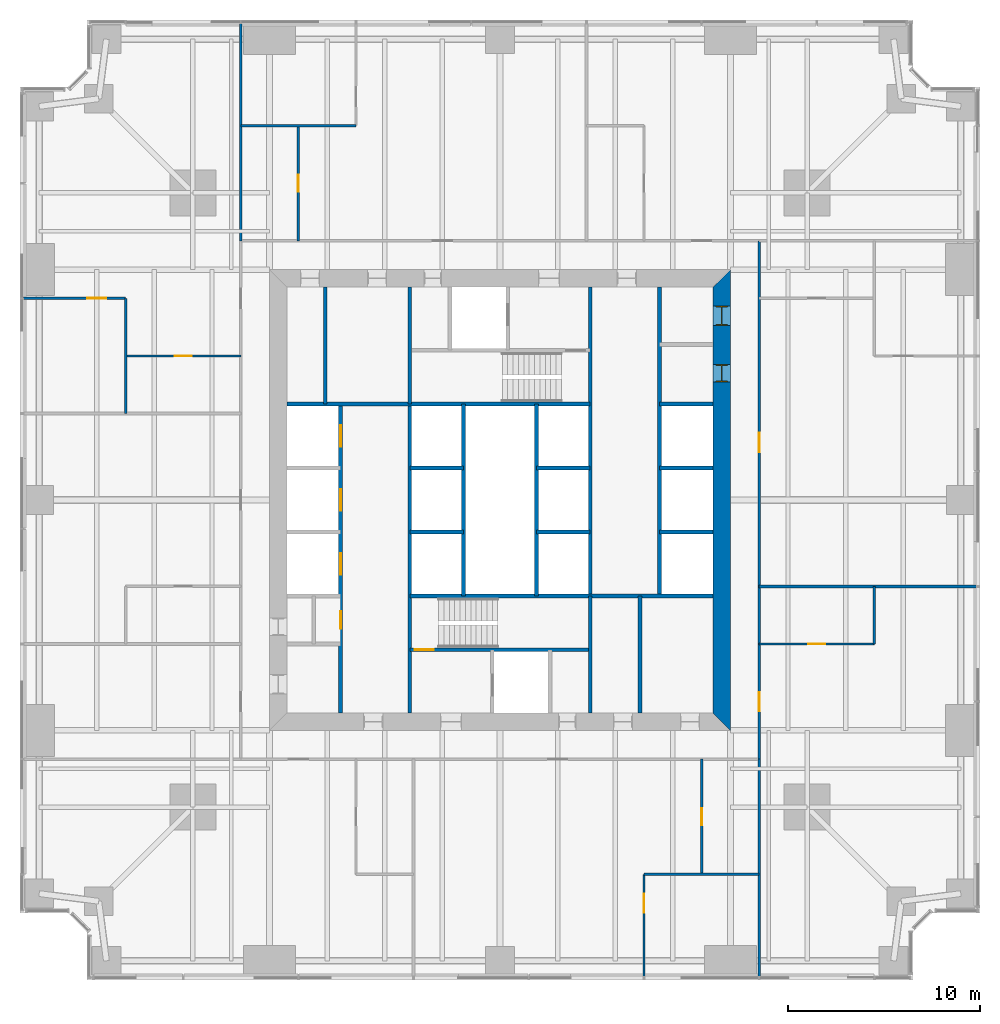
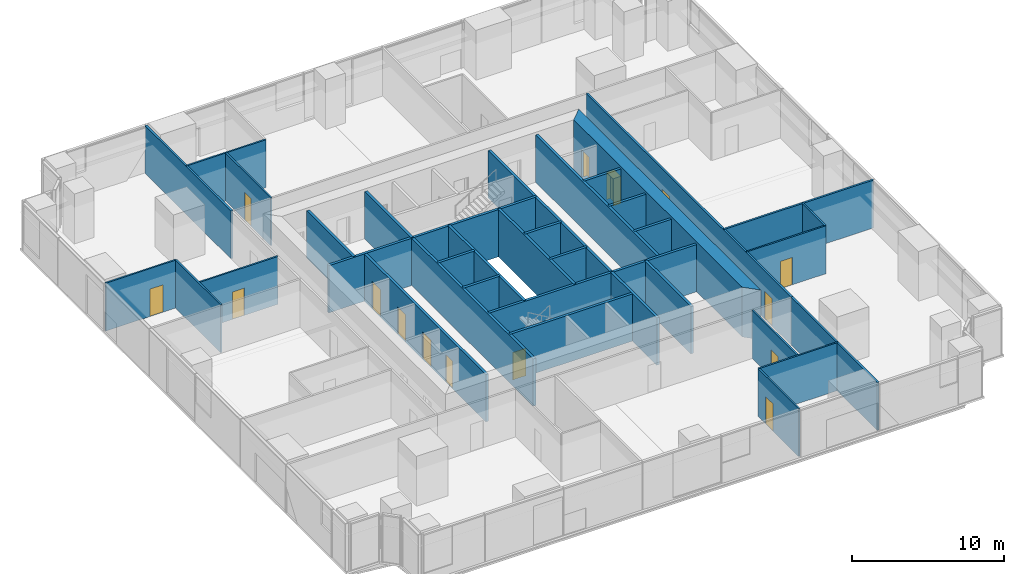
# One storey, part 10 of 13: 35 walls, 15 doors, 15 openings.
"""IFC4 building model written with IfcOpenShell, lengths in metres."""

from ifc_helpers import new_model, si_unit, direction, frame, frame_2d, origin, place, context, subcontext, project, spatial, polyline, rectangle, outline, extrude, material, layer, layer_set, type_object, element, fill, save


model = new_model("IFC4")

# Units and contexts
model_context = context("Model", 3, precision=1e-05, world=origin(), true_north=direction((0.0, 1.0)))
body_context = subcontext(model_context, "Body", "Model", "MODEL_VIEW")
ifc_project = project(units=[si_unit("LENGTHUNIT", "METRE"), si_unit("AREAUNIT", "SQUARE_METRE"), si_unit("VOLUMEUNIT", "CUBIC_METRE"), si_unit("PLANEANGLEUNIT", "RADIAN"), si_unit("MASSUNIT", "GRAM", prefix="KILO")], contexts=[model_context])

# Site, building, storey
site_placement = place(None, origin())
site = spatial("IfcSite", under=ifc_project, at=site_placement, CompositionType="ELEMENT")
building_placement = place(site_placement, origin())
building = spatial("IfcBuilding", under=site, at=building_placement, Name="Fenwick Lantern Interchange", CompositionType="ELEMENT")
storey_placement = place(building_placement, frame((0.0, 0.0, 47.0)))
storey = spatial("IfcBuildingStorey", under=building, at=storey_placement, Name="L10", CompositionType="ELEMENT", Elevation=47.0)

# Wall, openings, doors
ifc_material_1 = material(Name="Concrete masonry ASTM C90 Grade N", Category="masonry")
ifc_layer_1 = layer(ifc_material_1, 0.199951171875)
ifc_layer_set_1 = layer_set([ifc_layer_1], Name="Concrete masonry ASTM C90 Grade N")
wall_type_1 = type_object("IfcWallType", Name="CORE PARTITION 200", PredefinedType="PARTITIONING", material=ifc_layer_set_1)
wall_1_placement = place(storey_placement, frame((16.699951171875, 13.89990234375, 0.0), z_axis=(0.0, 0.0, 1.0), x_axis=(0.0, 1.0, 0.0)))
wall_1 = element("IfcWall", 1, at=wall_1_placement, inside=storey, type_object=wall_type_1, Name="L10/W/CORES/a", PredefinedType="PARTITIONING", context=body_context, shape_type="SweptSolid", body=[
    extrude(rectangle(XDim=16.10009765625, YDim=0.199951171875, at=frame_2d((8.050048828125, 0.0))), origin(), (0.0, 0.0, 1.0), 3.800048828125),
])
opening_1_placement = place(wall_1_placement, frame((4.39990234375, 0.0, 0.0)))
opening_1 = element("IfcOpeningElement", 2, at=opening_1_placement, cuts=wall_1, Name="Opening L10-D008", PredefinedType="OPENING", context=body_context, shape_type="SweptSolid", body=[
    extrude(rectangle(XDim=0.89990234375, YDim=2.199951171875, at=frame_2d((0.449951171875, 1.10009765625))), frame((0.0, 0.10986328125, 0.0), z_axis=(0.0, -1.0, 0.0), x_axis=(1.0, 0.0, 0.0)), (0.0, 0.0, 1.0), 0.219970703125),
])
opening_2_placement = place(wall_1_placement, frame((7.216552734375, 0.0, 0.0)))
opening_2 = element("IfcOpeningElement", 3, at=opening_2_placement, cuts=wall_1, Name="Opening LD-W1-1", PredefinedType="OPENING", context=body_context, shape_type="SweptSolid", body=[
    extrude(rectangle(XDim=1.10009765625, YDim=2.199951171875, at=frame_2d((0.550048828125, 1.10009765625))), frame((0.0, 0.10986328125, 0.0), z_axis=(0.0, -1.0, 0.0), x_axis=(1.0, 0.0, 0.0)), (0.0, 0.0, 1.0), 0.219970703125),
])
opening_3_placement = place(wall_1_placement, frame((10.550048828125, 0.0, 0.0)))
opening_3 = element("IfcOpeningElement", 4, at=opening_3_placement, cuts=wall_1, Name="Opening LD-W1-2", PredefinedType="OPENING", context=body_context, shape_type="SweptSolid", body=[
    extrude(rectangle(XDim=1.10009765625, YDim=2.199951171875, at=frame_2d((0.550048828125, 1.10009765625))), frame((0.0, 0.10986328125, 0.0), z_axis=(0.0, -1.0, 0.0), x_axis=(1.0, 0.0, 0.0)), (0.0, 0.0, 1.0), 0.219970703125),
])
opening_4_placement = place(wall_1_placement, frame((13.88330078125, 0.0, 0.0)))
opening_4 = element("IfcOpeningElement", 5, at=opening_4_placement, cuts=wall_1, Name="Opening LD-W1-3", PredefinedType="OPENING", context=body_context, shape_type="SweptSolid", body=[
    extrude(rectangle(XDim=1.10009765625, YDim=2.199951171875, at=frame_2d((0.550048828125, 1.10009765625))), frame((0.0, 0.10986328125, 0.0), z_axis=(0.0, -1.0, 0.0), x_axis=(1.0, 0.0, 0.0)), (0.0, 0.0, 1.0), 0.219970703125),
])
ifc_material_2 = material(Name="Steel door and frame", Category="steel")
door_type_1 = type_object("IfcDoorType", Name="LIFT LANDING DOOR 1100 X 2200", OperationType="DOUBLE_DOOR_SLIDING", PredefinedType="DOOR", material=ifc_material_2)
door_1_placement = place(opening_2_placement, origin())
door_1 = element("IfcDoor", 6, at=door_1_placement, inside=storey, type_object=door_type_1, Name="Lift landing door W1-1", OperationType="DOUBLE_DOOR_SLIDING", OverallHeight=2.199951171875, OverallWidth=1.10009765625, PredefinedType="DOOR", context=body_context, shape_type="SweptSolid", body=[
    extrude(rectangle(XDim=1.10009765625, YDim=2.199951171875, at=frame_2d((0.550048828125, 1.10009765625))), frame((0.0, 0.02490234375, 0.0), z_axis=(0.0, -1.0, 0.0), x_axis=(1.0, 0.0, 0.0)), (0.0, 0.0, 1.0), 0.050048828125),
])
fill(opening_2, door_1)
door_2_placement = place(opening_3_placement, origin())
door_2 = element("IfcDoor", 7, at=door_2_placement, inside=storey, type_object=door_type_1, Name="Lift landing door W1-2", OperationType="DOUBLE_DOOR_SLIDING", OverallHeight=2.199951171875, OverallWidth=1.10009765625, PredefinedType="DOOR", context=body_context, shape_type="SweptSolid", body=[
    extrude(rectangle(XDim=1.10009765625, YDim=2.199951171875, at=frame_2d((0.550048828125, 1.10009765625))), frame((0.0, 0.02490234375, 0.0), z_axis=(0.0, -1.0, 0.0), x_axis=(1.0, 0.0, 0.0)), (0.0, 0.0, 1.0), 0.050048828125),
])
fill(opening_3, door_2)
door_3_placement = place(opening_4_placement, origin())
door_3 = element("IfcDoor", 8, at=door_3_placement, inside=storey, type_object=door_type_1, Name="Lift landing door W1-3", OperationType="DOUBLE_DOOR_SLIDING", OverallHeight=2.199951171875, OverallWidth=1.10009765625, PredefinedType="DOOR", context=body_context, shape_type="SweptSolid", body=[
    extrude(rectangle(XDim=1.10009765625, YDim=2.199951171875, at=frame_2d((0.550048828125, 1.10009765625))), frame((0.0, 0.02490234375, 0.0), z_axis=(0.0, -1.0, 0.0), x_axis=(1.0, 0.0, 0.0)), (0.0, 0.0, 1.0), 0.050048828125),
])
fill(opening_4, door_3)
door_type_2 = type_object("IfcDoorType", Name="SERVICE DOOR 900 X 2200", OperationType="SINGLE_SWING_LEFT", PredefinedType="DOOR", material=ifc_material_2)
door_4_placement = place(opening_1_placement, origin())
door_4 = element("IfcDoor", 9, at=door_4_placement, inside=storey, type_object=door_type_2, Name="Service door", OperationType="SINGLE_SWING_LEFT", OverallHeight=2.199951171875, OverallWidth=0.89990234375, PredefinedType="DOOR", context=body_context, shape_type="SweptSolid", body=[
    extrude(rectangle(XDim=0.89990234375, YDim=2.199951171875, at=frame_2d((0.449951171875, 1.10009765625))), frame((0.0, 0.02490234375, 0.0), z_axis=(0.0, -1.0, 0.0), x_axis=(1.0, 0.0, 0.0)), (0.0, 0.0, 1.0), 0.050048828125),
])
fill(opening_1, door_4)

# Walls
for number, where, z_axis, x_axis, name in (
    (10, (20.300048828125, 23.333251953125, 0.0), (0.0, 0.0, 1.0), (1.0, 0.0, 0.0), "L10/W/CORES/e1"),
    (11, (20.300048828125, 26.666748046875, 0.0), (0.0, 0.0, 1.0), (1.0, 0.0, 0.0), "L10/W/CORES/e2"),
):
    element("IfcWall", number, at=place(storey_placement, frame(where, z_axis=z_axis, x_axis=x_axis)), inside=storey, type_object=wall_type_1, Name=name, PredefinedType="PARTITIONING", context=body_context, shape_type="SweptSolid", body=[
        extrude(rectangle(XDim=2.800048828125, YDim=0.199951171875, at=frame_2d((1.39990234375, 0.0))), origin(), (0.0, 0.0, 1.0), 3.800048828125),
    ])
wall_2_placement = place(storey_placement, frame((23.10009765625, 20.0, 0.0), z_axis=(0.0, 0.0, 1.0), x_axis=(0.0, 1.0, 0.0)))
element("IfcWall", 12, at=wall_2_placement, inside=storey, type_object=wall_type_1, Name="L10/W/CORES/e3", PredefinedType="PARTITIONING", context=body_context, shape_type="SweptSolid", body=[
    extrude(rectangle(XDim=10.0, YDim=0.199951171875, at=frame_2d((5.0, 0.0))), origin(), (0.0, 0.0, 1.0), 3.800048828125),
])
wall_3_placement = place(storey_placement, frame((32.300048828125, 13.89990234375, 0.0), z_axis=(0.0, 0.0, 1.0), x_axis=(0.0, 1.0, 0.0)))
element("IfcWall", 13, at=wall_3_placement, inside=storey, type_object=wall_type_1, Name="L10/W/CORES/i2", PredefinedType="PARTITIONING", context=body_context, shape_type="SweptSolid", body=[
    extrude(rectangle(XDim=6.10009765625, YDim=0.199951171875, at=frame_2d((3.050048828125, 0.0))), origin(), (0.0, 0.0, 1.0), 3.800048828125),
])
wall_4_placement = place(storey_placement, frame((33.300048828125, 36.10009765625, 0.0), z_axis=(0.0, 0.0, 1.0), x_axis=(0.0, -1.0, 0.0)))
element("IfcWall", 14, at=wall_4_placement, inside=storey, type_object=wall_type_1, Name="L10/W/COREN/a", PredefinedType="PARTITIONING", context=body_context, shape_type="SweptSolid", body=[
    extrude(rectangle(XDim=16.10009765625, YDim=0.199951171875, at=frame_2d((8.050048828125, 0.0))), origin(), (0.0, 0.0, 1.0), 3.800048828125),
])
for number, where, z_axis, x_axis, name in (
    (15, (36.10009765625, 30.0, 0.0), (0.0, 0.0, 1.0), (-1.0, 0.0, 0.0), "L10/W/COREN/c2"),
    (16, (36.10009765625, 26.666748046875, 0.0), (0.0, 0.0, 1.0), (-1.0, 0.0, 0.0), "L10/W/COREN/d1"),
    (17, (36.10009765625, 23.333251953125, 0.0), (0.0, 0.0, 1.0), (-1.0, 0.0, 0.0), "L10/W/COREN/d2"),
    (18, (29.699951171875, 26.666748046875, 0.0), (0.0, 0.0, 1.0), (-1.0, 0.0, 0.0), "L10/W/COREN/e1"),
    (19, (29.699951171875, 23.333251953125, 0.0), (0.0, 0.0, 1.0), (-1.0, 0.0, 0.0), "L10/W/COREN/e2"),
):
    element("IfcWall", number, at=place(storey_placement, frame(where, z_axis=z_axis, x_axis=x_axis)), inside=storey, type_object=wall_type_1, Name=name, PredefinedType="PARTITIONING", context=body_context, shape_type="SweptSolid", body=[
        extrude(rectangle(XDim=2.800048828125, YDim=0.199951171875, at=frame_2d((1.39990234375, 0.0))), origin(), (0.0, 0.0, 1.0), 3.800048828125),
    ])
wall_5_placement = place(storey_placement, frame((26.89990234375, 30.0, 0.0), z_axis=(0.0, 0.0, 1.0), x_axis=(0.0, -1.0, 0.0)))
element("IfcWall", 20, at=wall_5_placement, inside=storey, type_object=wall_type_1, Name="L10/W/COREN/e3", PredefinedType="PARTITIONING", context=body_context, shape_type="SweptSolid", body=[
    extrude(rectangle(XDim=10.0, YDim=0.199951171875, at=frame_2d((5.0, 0.0))), origin(), (0.0, 0.0, 1.0), 3.800048828125),
])
wall_6_placement = place(storey_placement, frame((15.89990234375, 36.10009765625, 0.0), z_axis=(0.0, 0.0, 1.0), x_axis=(0.0, -1.0, 0.0)))
element("IfcWall", 21, at=wall_6_placement, inside=storey, type_object=wall_type_1, Name="L10/W/COREN/i2", PredefinedType="PARTITIONING", context=body_context, shape_type="SweptSolid", body=[
    extrude(rectangle(XDim=6.10009765625, YDim=0.199951171875, at=frame_2d((3.050048828125, 0.0))), origin(), (0.0, 0.0, 1.0), 3.800048828125),
])

# Wall, openings, doors
ifc_material_3 = material(Name="Concrete f'c 70 MPa", Category="concrete")
ifc_layer_2 = layer(ifc_material_3, 0.89990234375)
ifc_layer_set_2 = layer_set([ifc_layer_2], Name="CORE WALL 900")
wall_type_2 = type_object("IfcWallType", Name="CORE WALL 900", PredefinedType="SHEAR", material=ifc_layer_set_2)
wall_7_placement = place(storey_placement, frame((36.550048828125, 13.89990234375, 0.0), z_axis=(0.0, 0.0, 1.0), x_axis=(0.0, 1.0, 0.0)))
wall_7 = element("IfcWall", 22, at=wall_7_placement, inside=storey, type_object=wall_type_2, Name="L10/CORE/E", PredefinedType="SHEAR", context=body_context, shape_type="SweptSolid", body=[
    extrude(outline(polyline([(-0.89990234375, -0.449951171875), (23.10009765625, -0.449951171875), (22.199951171875, 0.449951171875), (0.0, 0.449951171875), (-0.89990234375, -0.449951171875)])), origin(), (0.0, 0.0, 1.0), 4.0),
])
opening_5_placement = place(wall_7_placement, frame((20.199951171875, 0.0, 0.0)))
opening_5 = element("IfcOpeningElement", 23, at=opening_5_placement, cuts=wall_7, Name="Opening L10-D016", PredefinedType="OPENING", context=body_context, shape_type="SweptSolid", body=[
    extrude(rectangle(XDim=1.0, YDim=2.199951171875, at=frame_2d((0.5, 1.10009765625))), frame((0.0, 0.4599609375, 0.0), z_axis=(0.0, -1.0, 0.0), x_axis=(1.0, 0.0, 0.0)), (0.0, 0.0, 1.0), 0.919921875),
])
opening_6_placement = place(wall_7_placement, frame((17.25, 0.0, 0.0)))
opening_6 = element("IfcOpeningElement", 24, at=opening_6_placement, cuts=wall_7, Name="Opening L10-D017", PredefinedType="OPENING", context=body_context, shape_type="SweptSolid", body=[
    extrude(rectangle(XDim=0.89990234375, YDim=2.199951171875, at=frame_2d((0.449951171875, 1.10009765625))), frame((0.0, 0.4599609375, 0.0), z_axis=(0.0, -1.0, 0.0), x_axis=(1.0, 0.0, 0.0)), (0.0, 0.0, 1.0), 0.919921875),
])
door_5_placement = place(opening_6_placement, origin())
door_5 = element("IfcDoor", 25, at=door_5_placement, inside=storey, type_object=door_type_2, Name="Service door", OperationType="SINGLE_SWING_RIGHT", OverallHeight=2.199951171875, OverallWidth=0.89990234375, PredefinedType="DOOR", context=body_context, shape_type="SweptSolid", body=[
    extrude(rectangle(XDim=0.89990234375, YDim=2.199951171875, at=frame_2d((0.449951171875, 1.10009765625))), frame((0.0, 0.02490234375, 0.0), z_axis=(0.0, -1.0, 0.0), x_axis=(1.0, 0.0, 0.0)), (0.0, 0.0, 1.0), 0.050048828125),
    extrude(outline(polyline([(0.0, 0.0), (0.0400390625, 0.0), (0.0400390625, 2.159912109375), (0.85986328125, 2.159912109375), (0.85986328125, 0.0), (0.89990234375, 0.0), (0.89990234375, 2.199951171875), (0.0, 2.199951171875), (0.0, 0.0)])), frame((0.0, 0.300048828125, 0.0), z_axis=(0.0, -1.0, 0.0), x_axis=(1.0, 0.0, 0.0)), (0.0, 0.0, 1.0), 0.60009765625),
])
fill(opening_6, door_5)
ifc_material_4 = material(Name="Hardwood door and steel frame", Category="steel")
door_type_3 = type_object("IfcDoorType", Name="WC DOOR 1000 X 2200", OperationType="SINGLE_SWING_LEFT", PredefinedType="DOOR", material=ifc_material_4)
door_6_placement = place(opening_5_placement, origin())
door_6 = element("IfcDoor", 26, at=door_6_placement, inside=storey, type_object=door_type_3, Name="Wc door", OperationType="SINGLE_SWING_LEFT", OverallHeight=2.199951171875, OverallWidth=1.0, PredefinedType="DOOR", context=body_context, shape_type="SweptSolid", body=[
    extrude(rectangle(XDim=1.0, YDim=2.199951171875, at=frame_2d((0.5, 1.10009765625))), frame((0.0, 0.02490234375, 0.0), z_axis=(0.0, -1.0, 0.0), x_axis=(1.0, 0.0, 0.0)), (0.0, 0.0, 1.0), 0.050048828125),
    extrude(outline(polyline([(0.0, 0.0), (0.0400390625, 0.0), (0.0400390625, 2.159912109375), (0.9599609375, 2.159912109375), (0.9599609375, 0.0), (1.0, 0.0), (1.0, 2.199951171875), (0.0, 2.199951171875), (0.0, 0.0)])), frame((0.0, 0.300048828125, 0.0), z_axis=(0.0, -1.0, 0.0), x_axis=(1.0, 0.0, 0.0)), (0.0, 0.0, 1.0), 0.60009765625),
])
fill(opening_5, door_6)

ifc_material_5 = material(Name="Gypsum board on steel studs, 1 hour", Category="steel")
ifc_layer_3 = layer(ifc_material_5, 0.14990234375)
ifc_layer_set_3 = layer_set([ifc_layer_3], Name="CORRIDOR WALL 150")
wall_type_3 = type_object("IfcWallType", Name="CORRIDOR WALL 150", PredefinedType="PARTITIONING", material=ifc_layer_set_3)
wall_8_placement = place(storey_placement, frame((38.5, 11.5, 0.0), z_axis=(0.0, 0.0, 1.0), x_axis=(0.0, 1.0, 0.0)))
wall_8 = element("IfcWall", 27, at=wall_8_placement, inside=storey, type_object=wall_type_3, Name="L10/W/OFF/E/CW", PredefinedType="PARTITIONING", context=body_context, shape_type="SweptSolid", body=[
    extrude(rectangle(XDim=27.0, YDim=0.14990234375, at=frame_2d((13.5, 0.0))), origin(), (0.0, 0.0, 1.0), 3.85009765625),
])
opening_7_placement = place(wall_8_placement, frame((2.5, 0.0, 0.0)))
opening_7 = element("IfcOpeningElement", 28, at=opening_7_placement, cuts=wall_8, Name="Opening L10-D023", PredefinedType="OPENING", context=body_context, shape_type="SweptSolid", body=[
    extrude(rectangle(XDim=1.0, YDim=2.199951171875, at=frame_2d((0.5, 1.10009765625))), frame((0.0, 0.0849609375, 0.0), z_axis=(0.0, -1.0, 0.0), x_axis=(1.0, 0.0, 0.0)), (0.0, 0.0, 1.0), 0.169921875),
])
opening_8_placement = place(wall_8_placement, frame((16.0, 0.0, 0.0)))
opening_8 = element("IfcOpeningElement", 29, at=opening_8_placement, cuts=wall_8, Name="Opening L10-D025", PredefinedType="OPENING", context=body_context, shape_type="SweptSolid", body=[
    extrude(rectangle(XDim=1.0, YDim=2.199951171875, at=frame_2d((0.5, 1.10009765625))), frame((0.0, 0.0849609375, 0.0), z_axis=(0.0, -1.0, 0.0), x_axis=(1.0, 0.0, 0.0)), (0.0, 0.0, 1.0), 0.169921875),
])
door_type_4 = type_object("IfcDoorType", Name="SUITE ENTRANCE DOOR 1000 X 2200", OperationType="SINGLE_SWING_LEFT", PredefinedType="DOOR", material=ifc_material_2)
door_7_placement = place(opening_7_placement, frame((1.0, 0.0, 0.0), z_axis=(0.0, 0.0, 1.0), x_axis=(-1.0, 0.0, 0.0)))
door_7 = element("IfcDoor", 30, at=door_7_placement, inside=storey, type_object=door_type_4, Name="Suite entrance door", OperationType="SINGLE_SWING_LEFT", OverallHeight=2.199951171875, OverallWidth=1.0, PredefinedType="DOOR", context=body_context, shape_type="SweptSolid", body=[
    extrude(rectangle(XDim=1.0, YDim=2.199951171875, at=frame_2d((0.5, 1.10009765625))), frame((0.0, 0.02490234375, 0.0), z_axis=(0.0, -1.0, 0.0), x_axis=(1.0, 0.0, 0.0)), (0.0, 0.0, 1.0), 0.050048828125),
])
fill(opening_7, door_7)
door_8_placement = place(opening_8_placement, frame((1.0, 0.0, 0.0), z_axis=(0.0, 0.0, 1.0), x_axis=(-1.0, 0.0, 0.0)))
door_8 = element("IfcDoor", 31, at=door_8_placement, inside=storey, type_object=door_type_4, Name="Suite entrance door", OperationType="SINGLE_SWING_RIGHT", OverallHeight=2.199951171875, OverallWidth=1.0, PredefinedType="DOOR", context=body_context, shape_type="SweptSolid", body=[
    extrude(rectangle(XDim=1.0, YDim=2.199951171875, at=frame_2d((0.5, 1.10009765625))), frame((0.0, 0.02490234375, 0.0), z_axis=(0.0, -1.0, 0.0), x_axis=(1.0, 0.0, 0.0)), (0.0, 0.0, 1.0), 0.050048828125),
])
fill(opening_8, door_8)

# Wall, opening, door
ifc_material_6 = material(Name="Gypsum board on steel studs, acoustic", Category="steel")
ifc_layer_4 = layer(ifc_material_6, 0.125)
ifc_layer_set_4 = layer_set([ifc_layer_4], Name="OFFICE PARTITION 125")
wall_type_4 = type_object("IfcWallType", Name="OFFICE PARTITION 125", PredefinedType="PARTITIONING", material=ifc_layer_set_4)
wall_9_placement = place(storey_placement, frame((32.5, 0.14990234375, 0.0), z_axis=(0.0, 0.0, 1.0), x_axis=(0.0, 1.0, 0.0)))
wall_9 = element("IfcWall", 32, at=wall_9_placement, inside=storey, type_object=wall_type_4, Name="L10/W/OFF/S/X325-1", PredefinedType="PARTITIONING", context=body_context, shape_type="SweptSolid", body=[
    extrude(rectangle(XDim=5.35009765625, YDim=0.125, at=frame_2d((2.675048828125, 0.0))), origin(), (0.0, 0.0, 1.0), 3.85009765625),
])
opening_9_placement = place(wall_9_placement, frame((3.35009765625, 0.0, 0.0)))
opening_9 = element("IfcOpeningElement", 33, at=opening_9_placement, cuts=wall_9, Name="Opening L10-D021", PredefinedType="OPENING", context=body_context, shape_type="SweptSolid", body=[
    extrude(rectangle(XDim=1.0, YDim=2.199951171875, at=frame_2d((0.5, 1.10009765625))), frame((0.0, 0.072509765625, 0.0), z_axis=(0.0, -1.0, 0.0), x_axis=(1.0, 0.0, 0.0)), (0.0, 0.0, 1.0), 0.14501953125),
])
door_type_5 = type_object("IfcDoorType", Name="MEETING ROOM DOOR 1000 X 2200", OperationType="SINGLE_SWING_LEFT", PredefinedType="DOOR", material=ifc_material_4)
door_9_placement = place(opening_9_placement, frame((1.0, 0.0, 0.0), z_axis=(0.0, 0.0, 1.0), x_axis=(-1.0, 0.0, 0.0)))
door_9 = element("IfcDoor", 34, at=door_9_placement, inside=storey, type_object=door_type_5, Name="Meeting room door", OperationType="SINGLE_SWING_LEFT", OverallHeight=2.199951171875, OverallWidth=1.0, PredefinedType="DOOR", context=body_context, shape_type="SweptSolid", body=[
    extrude(rectangle(XDim=1.0, YDim=2.199951171875, at=frame_2d((0.5, 1.10009765625))), frame((0.0, 0.02490234375, 0.0), z_axis=(0.0, -1.0, 0.0), x_axis=(1.0, 0.0, 0.0)), (0.0, 0.0, 1.0), 0.050048828125),
])
fill(opening_9, door_9)

wall_10_placement = place(storey_placement, frame((35.5, 5.5, 0.0), z_axis=(0.0, 0.0, 1.0), x_axis=(0.0, 1.0, 0.0)))
wall_10 = element("IfcWall", 35, at=wall_10_placement, inside=storey, type_object=wall_type_4, Name="L10/W/OFF/S/X355-1", PredefinedType="PARTITIONING", context=body_context, shape_type="SweptSolid", body=[
    extrude(rectangle(XDim=6.0, YDim=0.125, at=frame_2d((3.0, 0.0))), origin(), (0.0, 0.0, 1.0), 3.85009765625),
])
opening_10_placement = place(wall_10_placement, frame((2.550048828125, 0.0, 0.0)))
opening_10 = element("IfcOpeningElement", 36, at=opening_10_placement, cuts=wall_10, Name="Opening L10-D022", PredefinedType="OPENING", context=body_context, shape_type="SweptSolid", body=[
    extrude(rectangle(XDim=0.89990234375, YDim=2.199951171875, at=frame_2d((0.449951171875, 1.10009765625))), frame((0.0, 0.072509765625, 0.0), z_axis=(0.0, -1.0, 0.0), x_axis=(1.0, 0.0, 0.0)), (0.0, 0.0, 1.0), 0.14501953125),
])
door_type_6 = type_object("IfcDoorType", Name="OFFICE DOOR 900 X 2200", OperationType="SINGLE_SWING_LEFT", PredefinedType="DOOR", material=ifc_material_4)
door_10_placement = place(opening_10_placement, frame((0.89990234375, 0.0, 0.0), z_axis=(0.0, 0.0, 1.0), x_axis=(-1.0, 0.0, 0.0)))
door_10 = element("IfcDoor", 37, at=door_10_placement, inside=storey, type_object=door_type_6, Name="Office door", OperationType="SINGLE_SWING_RIGHT", OverallHeight=2.199951171875, OverallWidth=0.89990234375, PredefinedType="DOOR", context=body_context, shape_type="SweptSolid", body=[
    extrude(rectangle(XDim=0.89990234375, YDim=2.199951171875, at=frame_2d((0.449951171875, 1.10009765625))), frame((0.0, 0.02490234375, 0.0), z_axis=(0.0, -1.0, 0.0), x_axis=(1.0, 0.0, 0.0)), (0.0, 0.0, 1.0), 0.050048828125),
])
fill(opening_10, door_10)

# Wall
wall_11_placement = place(storey_placement, frame((32.5, 5.5, 0.0), z_axis=(0.0, 0.0, 1.0), x_axis=(1.0, 0.0, 0.0)))
element("IfcWall", 38, at=wall_11_placement, inside=storey, type_object=wall_type_4, Name="L10/W/OFF/S/Y55-2", PredefinedType="PARTITIONING", context=body_context, shape_type="SweptSolid", body=[
    extrude(rectangle(XDim=6.0, YDim=0.125, at=frame_2d((3.0, 0.0))), origin(), (0.0, 0.0, 1.0), 3.85009765625),
])

# Wall, opening, door
wall_12_placement = place(storey_placement, frame((44.5, 17.5, 0.0), z_axis=(0.0, 0.0, 1.0), x_axis=(-1.0, 0.0, 0.0)))
wall_12 = element("IfcWall", 39, at=wall_12_placement, inside=storey, type_object=wall_type_4, Name="L10/W/OFF/E/X175-1", PredefinedType="PARTITIONING", context=body_context, shape_type="SweptSolid", body=[
    extrude(rectangle(XDim=6.0, YDim=0.125, at=frame_2d((3.0, 0.0))), origin(), (0.0, 0.0, 1.0), 3.85009765625),
])
opening_11_placement = place(wall_12_placement, frame((2.550048828125, 0.0, 0.0)))
opening_11 = element("IfcOpeningElement", 40, at=opening_11_placement, cuts=wall_12, Name="Opening L10-D024", PredefinedType="OPENING", context=body_context, shape_type="SweptSolid", body=[
    extrude(rectangle(XDim=0.89990234375, YDim=2.199951171875, at=frame_2d((0.449951171875, 1.10009765625))), frame((0.0, 0.072509765625, 0.0), z_axis=(0.0, -1.0, 0.0), x_axis=(1.0, 0.0, 0.0)), (0.0, 0.0, 1.0), 0.14501953125),
])
door_11_placement = place(opening_11_placement, frame((0.89990234375, 0.0, 0.0), z_axis=(0.0, 0.0, 1.0), x_axis=(-1.0, 0.0, 0.0)))
door_11 = element("IfcDoor", 41, at=door_11_placement, inside=storey, type_object=door_type_6, Name="Office door", OperationType="SINGLE_SWING_RIGHT", OverallHeight=2.199951171875, OverallWidth=0.89990234375, PredefinedType="DOOR", context=body_context, shape_type="SweptSolid", body=[
    extrude(rectangle(XDim=0.89990234375, YDim=2.199951171875, at=frame_2d((0.449951171875, 1.10009765625))), frame((0.0, 0.02490234375, 0.0), z_axis=(0.0, -1.0, 0.0), x_axis=(1.0, 0.0, 0.0)), (0.0, 0.0, 1.0), 0.050048828125),
])
fill(opening_11, door_11)

# Wall
wall_13_placement = place(storey_placement, frame((44.5, 17.5, 0.0), z_axis=(0.0, 0.0, 1.0), x_axis=(0.0, 1.0, 0.0)))
element("IfcWall", 42, at=wall_13_placement, inside=storey, type_object=wall_type_4, Name="L10/W/OFF/E/Y55-1", PredefinedType="PARTITIONING", context=body_context, shape_type="SweptSolid", body=[
    extrude(rectangle(XDim=3.0, YDim=0.125, at=frame_2d((1.5, 0.0))), origin(), (0.0, 0.0, 1.0), 3.85009765625),
])

# Wall, opening, door
wall_14_placement = place(storey_placement, frame((14.5, 44.5, 0.0), z_axis=(0.0, 0.0, 1.0), x_axis=(0.0, -1.0, 0.0)))
wall_14 = element("IfcWall", 43, at=wall_14_placement, inside=storey, type_object=wall_type_4, Name="L10/W/OFF/N/X355-1", PredefinedType="PARTITIONING", context=body_context, shape_type="SweptSolid", body=[
    extrude(rectangle(XDim=6.0, YDim=0.125, at=frame_2d((3.0, 0.0))), origin(), (0.0, 0.0, 1.0), 3.85009765625),
])
opening_12_placement = place(wall_14_placement, frame((2.550048828125, 0.0, 0.0)))
opening_12 = element("IfcOpeningElement", 44, at=opening_12_placement, cuts=wall_14, Name="Opening L10-D032", PredefinedType="OPENING", context=body_context, shape_type="SweptSolid", body=[
    extrude(rectangle(XDim=0.89990234375, YDim=2.199951171875, at=frame_2d((0.449951171875, 1.10009765625))), frame((0.0, 0.072509765625, 0.0), z_axis=(0.0, -1.0, 0.0), x_axis=(1.0, 0.0, 0.0)), (0.0, 0.0, 1.0), 0.14501953125),
])
door_12_placement = place(opening_12_placement, frame((0.89990234375, 0.0, 0.0), z_axis=(0.0, 0.0, 1.0), x_axis=(-1.0, 0.0, 0.0)))
door_12 = element("IfcDoor", 45, at=door_12_placement, inside=storey, type_object=door_type_6, Name="Office door", OperationType="SINGLE_SWING_RIGHT", OverallHeight=2.199951171875, OverallWidth=0.89990234375, PredefinedType="DOOR", context=body_context, shape_type="SweptSolid", body=[
    extrude(rectangle(XDim=0.89990234375, YDim=2.199951171875, at=frame_2d((0.449951171875, 1.10009765625))), frame((0.0, 0.02490234375, 0.0), z_axis=(0.0, -1.0, 0.0), x_axis=(1.0, 0.0, 0.0)), (0.0, 0.0, 1.0), 0.050048828125),
])
fill(opening_12, door_12)

# Wall
wall_15_placement = place(storey_placement, frame((17.5, 44.5, 0.0), z_axis=(0.0, 0.0, 1.0), x_axis=(-1.0, 0.0, 0.0)))
element("IfcWall", 46, at=wall_15_placement, inside=storey, type_object=wall_type_4, Name="L10/W/OFF/N/Y55-2", PredefinedType="PARTITIONING", context=body_context, shape_type="SweptSolid", body=[
    extrude(rectangle(XDim=6.0, YDim=0.125, at=frame_2d((3.0, 0.0))), origin(), (0.0, 0.0, 1.0), 3.85009765625),
])

# Wall, opening, door
wall_16_placement = place(storey_placement, frame((0.14990234375, 35.5, 0.0), z_axis=(0.0, 0.0, 1.0), x_axis=(1.0, 0.0, 0.0)))
wall_16 = element("IfcWall", 47, at=wall_16_placement, inside=storey, type_object=wall_type_4, Name="L10/W/OFF/W/X145-1", PredefinedType="PARTITIONING", context=body_context, shape_type="SweptSolid", body=[
    extrude(rectangle(XDim=5.35009765625, YDim=0.125, at=frame_2d((2.675048828125, 0.0))), origin(), (0.0, 0.0, 1.0), 3.85009765625),
])
opening_13_placement = place(wall_16_placement, frame((3.35009765625, 0.0, 0.0)))
opening_13 = element("IfcOpeningElement", 48, at=opening_13_placement, cuts=wall_16, Name="Opening L10-D034", PredefinedType="OPENING", context=body_context, shape_type="SweptSolid", body=[
    extrude(rectangle(XDim=1.0, YDim=2.199951171875, at=frame_2d((0.5, 1.10009765625))), frame((0.0, 0.072509765625, 0.0), z_axis=(0.0, -1.0, 0.0), x_axis=(1.0, 0.0, 0.0)), (0.0, 0.0, 1.0), 0.14501953125),
])
door_13_placement = place(opening_13_placement, frame((1.0, 0.0, 0.0), z_axis=(0.0, 0.0, 1.0), x_axis=(-1.0, 0.0, 0.0)))
door_13 = element("IfcDoor", 49, at=door_13_placement, inside=storey, type_object=door_type_5, Name="Meeting room door", OperationType="SINGLE_SWING_LEFT", OverallHeight=2.199951171875, OverallWidth=1.0, PredefinedType="DOOR", context=body_context, shape_type="SweptSolid", body=[
    extrude(rectangle(XDim=1.0, YDim=2.199951171875, at=frame_2d((0.5, 1.10009765625))), frame((0.0, 0.02490234375, 0.0), z_axis=(0.0, -1.0, 0.0), x_axis=(1.0, 0.0, 0.0)), (0.0, 0.0, 1.0), 0.050048828125),
])
fill(opening_13, door_13)

wall_17_placement = place(storey_placement, frame((5.5, 32.5, 0.0), z_axis=(0.0, 0.0, 1.0), x_axis=(1.0, 0.0, 0.0)))
wall_17 = element("IfcWall", 50, at=wall_17_placement, inside=storey, type_object=wall_type_4, Name="L10/W/OFF/W/X175-1", PredefinedType="PARTITIONING", context=body_context, shape_type="SweptSolid", body=[
    extrude(rectangle(XDim=6.0, YDim=0.125, at=frame_2d((3.0, 0.0))), origin(), (0.0, 0.0, 1.0), 3.85009765625),
])
opening_14_placement = place(wall_17_placement, frame((2.550048828125, 0.0, 0.0)))
opening_14 = element("IfcOpeningElement", 51, at=opening_14_placement, cuts=wall_17, Name="Opening L10-D035", PredefinedType="OPENING", context=body_context, shape_type="SweptSolid", body=[
    extrude(rectangle(XDim=0.89990234375, YDim=2.199951171875, at=frame_2d((0.449951171875, 1.10009765625))), frame((0.0, 0.072509765625, 0.0), z_axis=(0.0, -1.0, 0.0), x_axis=(1.0, 0.0, 0.0)), (0.0, 0.0, 1.0), 0.14501953125),
])
door_14_placement = place(opening_14_placement, frame((0.89990234375, 0.0, 0.0), z_axis=(0.0, 0.0, 1.0), x_axis=(-1.0, 0.0, 0.0)))
door_14 = element("IfcDoor", 52, at=door_14_placement, inside=storey, type_object=door_type_6, Name="Office door", OperationType="SINGLE_SWING_RIGHT", OverallHeight=2.199951171875, OverallWidth=0.89990234375, PredefinedType="DOOR", context=body_context, shape_type="SweptSolid", body=[
    extrude(rectangle(XDim=0.89990234375, YDim=2.199951171875, at=frame_2d((0.449951171875, 1.10009765625))), frame((0.0, 0.02490234375, 0.0), z_axis=(0.0, -1.0, 0.0), x_axis=(1.0, 0.0, 0.0)), (0.0, 0.0, 1.0), 0.050048828125),
])
fill(opening_14, door_14)

# Walls
wall_18_placement = place(storey_placement, frame((5.5, 35.5, 0.0), z_axis=(0.0, 0.0, 1.0), x_axis=(0.0, -1.0, 0.0)))
element("IfcWall", 53, at=wall_18_placement, inside=storey, type_object=wall_type_4, Name="L10/W/OFF/W/Y55-1", PredefinedType="PARTITIONING", context=body_context, shape_type="SweptSolid", body=[
    extrude(rectangle(XDim=6.0, YDim=0.125, at=frame_2d((3.0, 0.0))), origin(), (0.0, 0.0, 1.0), 3.85009765625),
])
ifc_material_7 = material(Name="Concrete f'c 45 MPa", Category="concrete")
ifc_layer_5 = layer(ifc_material_7, 0.199951171875)
ifc_layer_set_5 = layer_set([ifc_layer_5], Name="STAIR CORE WALL 200")
wall_type_5 = type_object("IfcWallType", Name="STAIR CORE WALL 200", PredefinedType="SOLIDWALL", material=ifc_layer_set_5)
wall_19_placement = place(storey_placement, frame((20.300048828125, 13.89990234375, 0.0), z_axis=(0.0, 0.0, 1.0), x_axis=(0.0, 1.0, 0.0)))
element("IfcWall", 54, at=wall_19_placement, inside=storey, type_object=wall_type_5, Name="L10/W/CORES/b", PredefinedType="SOLIDWALL", context=body_context, shape_type="SweptSolid", body=[
    extrude(rectangle(XDim=16.10009765625, YDim=0.199951171875, at=frame_2d((8.050048828125, 0.0))), origin(), (0.0, 0.0, 1.0), 3.800048828125),
])

# Wall, opening, door
wall_20_placement = place(storey_placement, frame((20.300048828125, 17.199951171875, 0.0), z_axis=(0.0, 0.0, 1.0), x_axis=(1.0, 0.0, 0.0)))
wall_20 = element("IfcWall", 55, at=wall_20_placement, inside=storey, type_object=wall_type_5, Name="L10/W/CORES/g1", PredefinedType="SOLIDWALL", context=body_context, shape_type="SweptSolid", body=[
    extrude(rectangle(XDim=9.39990234375, YDim=0.199951171875, at=frame_2d((4.699951171875, 0.0))), origin(), (0.0, 0.0, 1.0), 3.800048828125),
])
opening_15_placement = place(wall_20_placement, frame((0.25, 0.0, 0.0)))
opening_15 = element("IfcOpeningElement", 56, at=opening_15_placement, cuts=wall_20, Name="Opening L10-D003", PredefinedType="OPENING", context=body_context, shape_type="SweptSolid", body=[
    extrude(rectangle(XDim=1.0, YDim=2.199951171875, at=frame_2d((0.5, 1.10009765625))), frame((0.0, 0.10986328125, 0.0), z_axis=(0.0, -1.0, 0.0), x_axis=(1.0, 0.0, 0.0)), (0.0, 0.0, 1.0), 0.219970703125),
])
door_type_7 = type_object("IfcDoorType", Name="STAIR DOOR 1000 X 2200", OperationType="SINGLE_SWING_LEFT", PredefinedType="DOOR", material=ifc_material_2)
door_15_placement = place(opening_15_placement, origin())
door_15 = element("IfcDoor", 57, at=door_15_placement, inside=storey, type_object=door_type_7, Name="Stair door", OperationType="SINGLE_SWING_LEFT", OverallHeight=2.199951171875, OverallWidth=1.0, PredefinedType="DOOR", context=body_context, shape_type="SweptSolid", body=[
    extrude(rectangle(XDim=1.0, YDim=2.199951171875, at=frame_2d((0.5, 1.10009765625))), frame((0.0, 0.02490234375, 0.0), z_axis=(0.0, -1.0, 0.0), x_axis=(1.0, 0.0, 0.0)), (0.0, 0.0, 1.0), 0.050048828125),
])
fill(opening_15, door_15)

# Walls
wall_21_placement = place(storey_placement, frame((20.300048828125, 20.0, 0.0), z_axis=(0.0, 0.0, 1.0), x_axis=(1.0, 0.0, 0.0)))
element("IfcWall", 58, at=wall_21_placement, inside=storey, type_object=wall_type_5, Name="L10/W/CORES/g2", PredefinedType="SOLIDWALL", context=body_context, shape_type="SweptSolid", body=[
    extrude(rectangle(XDim=15.800048828125, YDim=0.199951171875, at=frame_2d((7.89990234375, 0.0))), origin(), (0.0, 0.0, 1.0), 3.800048828125),
])
wall_22_placement = place(storey_placement, frame((29.699951171875, 13.89990234375, 0.0), z_axis=(0.0, 0.0, 1.0), x_axis=(0.0, 1.0, 0.0)))
element("IfcWall", 59, at=wall_22_placement, inside=storey, type_object=wall_type_5, Name="L10/W/CORES/i1", PredefinedType="SOLIDWALL", context=body_context, shape_type="SweptSolid", body=[
    extrude(rectangle(XDim=6.10009765625, YDim=0.199951171875, at=frame_2d((3.050048828125, 0.0))), origin(), (0.0, 0.0, 1.0), 3.800048828125),
])
wall_23_placement = place(storey_placement, frame((29.699951171875, 36.10009765625, 0.0), z_axis=(0.0, 0.0, 1.0), x_axis=(0.0, -1.0, 0.0)))
element("IfcWall", 60, at=wall_23_placement, inside=storey, type_object=wall_type_5, Name="L10/W/COREN/b", PredefinedType="SOLIDWALL", context=body_context, shape_type="SweptSolid", body=[
    extrude(rectangle(XDim=16.10009765625, YDim=0.199951171875, at=frame_2d((8.050048828125, 0.0))), origin(), (0.0, 0.0, 1.0), 3.800048828125),
])
wall_24_placement = place(storey_placement, frame((29.699951171875, 30.0, 0.0), z_axis=(0.0, 0.0, 1.0), x_axis=(-1.0, 0.0, 0.0)))
element("IfcWall", 61, at=wall_24_placement, inside=storey, type_object=wall_type_5, Name="L10/W/COREN/g2", PredefinedType="SOLIDWALL", context=body_context, shape_type="SweptSolid", body=[
    extrude(rectangle(XDim=15.800048828125, YDim=0.199951171875, at=frame_2d((7.89990234375, 0.0))), origin(), (0.0, 0.0, 1.0), 3.800048828125),
])
wall_25_placement = place(storey_placement, frame((20.300048828125, 36.10009765625, 0.0), z_axis=(0.0, 0.0, 1.0), x_axis=(0.0, -1.0, 0.0)))
element("IfcWall", 62, at=wall_25_placement, inside=storey, type_object=wall_type_5, Name="L10/W/COREN/i1", PredefinedType="SOLIDWALL", context=body_context, shape_type="SweptSolid", body=[
    extrude(rectangle(XDim=6.10009765625, YDim=0.199951171875, at=frame_2d((3.050048828125, 0.0))), origin(), (0.0, 0.0, 1.0), 3.800048828125),
])
ifc_material_8 = material(Name="Gypsum board on steel studs, 1 hour acoustic", Category="steel")
ifc_layer_6 = layer(ifc_material_8, 0.14990234375)
ifc_layer_set_6 = layer_set([ifc_layer_6], Name="TENANT WALL 150")
wall_type_6 = type_object("IfcWallType", Name="TENANT WALL 150", PredefinedType="PARTITIONING", material=ifc_layer_set_6)
for number, where, z_axis, x_axis, name in (
    (63, (38.5, 0.14990234375, 0.0), (0.0, 0.0, 1.0), (0.0, 1.0, 0.0), "L10/W/OFF/E/BACK"),
    (64, (49.85009765625, 20.5, 0.0), (0.0, 0.0, 1.0), (-1.0, 0.0, 0.0), "L10/W/OFF/E/X205-1"),
    (65, (11.5, 49.85009765625, 0.0), (0.0, 0.0, 1.0), (0.0, -1.0, 0.0), "L10/W/OFF/W/BACK"),
):
    element("IfcWall", number, at=place(storey_placement, frame(where, z_axis=z_axis, x_axis=x_axis)), inside=storey, type_object=wall_type_6, Name=name, PredefinedType="PARTITIONING", context=body_context, shape_type="SweptSolid", body=[
        extrude(rectangle(XDim=11.35009765625, YDim=0.14990234375, at=frame_2d((5.675048828125, 0.0))), origin(), (0.0, 0.0, 1.0), 3.85009765625),
    ])

save(model, "model.ifc")
